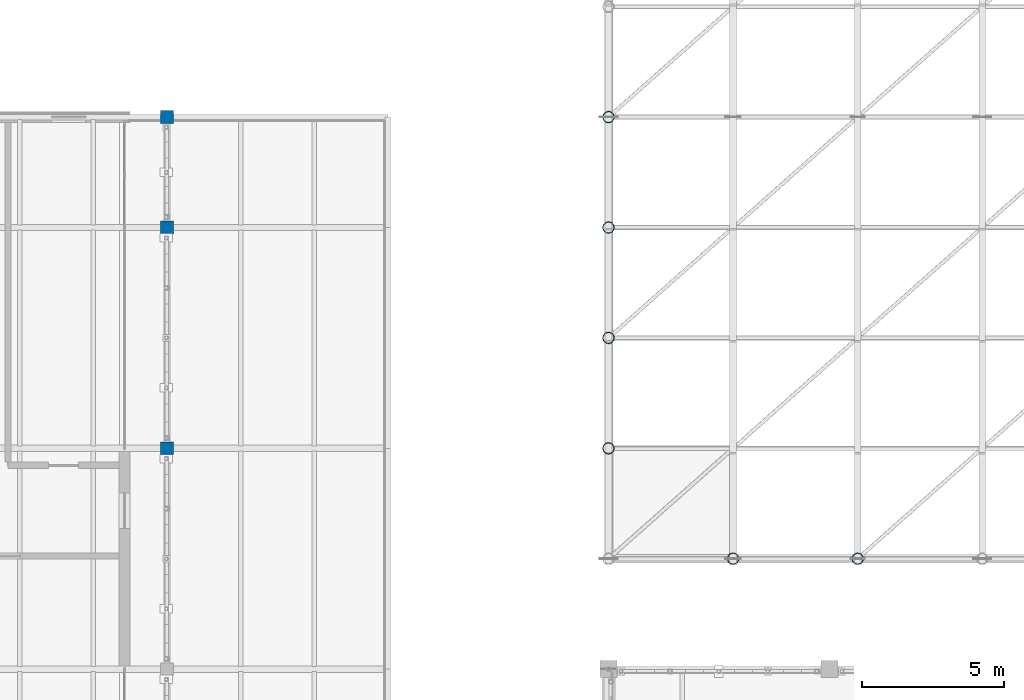
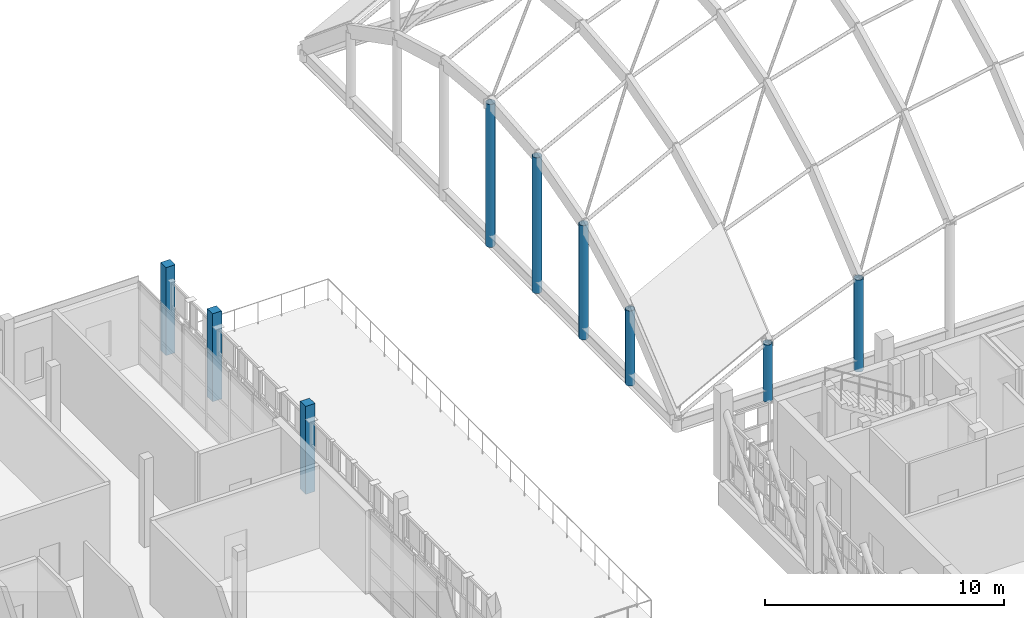
# One storey, part 4 of 119: 9 columns.
"""IFC4 building model written with IfcOpenShell, lengths in metres."""

from ifc_helpers import new_model, si_unit, direction, frame, origin, origin_2d, place, context, subcontext, project, spatial, rectangle, hollow_circle, extrude, material, material_profile, profile_set, type_object, element, save


model = new_model("IFC4")

# Units and contexts
model_context = context("Model", 3, precision=1e-05, world=origin(), true_north=direction((0.0, 1.0)))
body_context = subcontext(model_context, "Body", "Model", "MODEL_VIEW")
ifc_project = project(units=[si_unit("LENGTHUNIT", "METRE"), si_unit("AREAUNIT", "SQUARE_METRE"), si_unit("VOLUMEUNIT", "CUBIC_METRE"), si_unit("PLANEANGLEUNIT", "RADIAN"), si_unit("MASSUNIT", "GRAM", prefix="KILO")], contexts=[model_context])

# Site, building, storey
site_placement = place(None, origin())
site = spatial("IfcSite", under=ifc_project, at=site_placement, CompositionType="ELEMENT")
building_placement = place(site_placement, origin())
building = spatial("IfcBuilding", under=site, at=building_placement, Name="Celorna Specialist Clinic", CompositionType="ELEMENT")
storey_placement = place(building_placement, frame((0.0, 0.0, 9.60009765625)))
storey = spatial("IfcBuildingStorey", under=building, at=storey_placement, Name="L02", CompositionType="ELEMENT", Elevation=9.60009765625)

# Columns
ifc_material_1 = material(Name="Concrete C35/45", Category="concrete")
ifc_material_profile_1 = material_profile(ifc_material_1, rectangle(XDim=0.449951171875, YDim=0.449951171875, at=origin_2d()), Name="RC 450x450")
ifc_profile_set_1 = profile_set([ifc_material_profile_1], Name="Concrete C35/45")
column_type_1 = type_object("IfcColumnType", Name="CT-07", PredefinedType="COLUMN", material=ifc_profile_set_1)
for number, where, z_axis, x_axis, name in (
    (1, (39.0, 50.699951171875, 0.0), (0.0, 0.0, 1.0), (1.0, 0.0, 0.0), "Column CT-07 L02 X06/YK"),
    (2, (39.0, 58.5, 0.0), (0.0, 0.0, 1.0), (1.0, 0.0, 0.0), "Column CT-07 L02 X06/YL"),
    (3, (39.0, 62.39990234375, 0.0), (0.0, 0.0, 1.0), (1.0, 0.0, 0.0), "Column CT-07 L02 X06/YM"),
):
    element("IfcColumn", number, at=place(storey_placement, frame(where, z_axis=z_axis, x_axis=x_axis)), inside=storey, type_object=column_type_1, Name=name, PredefinedType="COLUMN", context=body_context, shape_type="SweptSolid", body=[
        extrude(rectangle(XDim=0.449951171875, YDim=0.449951171875, at=origin_2d()), origin(), (0.0, 0.0, 1.0), 4.5),
    ])
ifc_material_2 = material(Name="Steel S355", Category="steel")
ifc_material_profile_2 = material_profile(ifc_material_2, hollow_circle(Radius=0.203125, WallThickness=0.01611328125, at=origin_2d()), Name="CHS 406.4x16")
ifc_profile_set_2 = profile_set([ifc_material_profile_2], Name="Steel S355")
column_type_2 = type_object("IfcColumnType", Name="CT-12", PredefinedType="COLUMN", material=ifc_profile_set_2)
column_1_placement = place(storey_placement, frame((59.0, 46.800048828125, 0.0), z_axis=(0.0, 0.0, 1.0), x_axis=(1.0, 0.0, 0.0)))
element("IfcColumn", 4, at=column_1_placement, inside=storey, type_object=column_type_2, Name="Column CT-12 L02 X09/YJ", PredefinedType="COLUMN", context=body_context, shape_type="SweptSolid", body=[
    extrude(hollow_circle(Radius=0.203125, WallThickness=0.01611328125, at=origin_2d()), origin(), (0.0, 0.0, 1.0), 2.929443359375),
])
column_2_placement = place(storey_placement, frame((63.39990234375, 46.800048828125, 0.0), z_axis=(0.0, 0.0, 1.0), x_axis=(1.0, 0.0, 0.0)))
element("IfcColumn", 5, at=column_2_placement, inside=storey, type_object=column_type_2, Name="Column CT-12 L02 X09/YJ", PredefinedType="COLUMN", context=body_context, shape_type="SweptSolid", body=[
    extrude(hollow_circle(Radius=0.203125, WallThickness=0.01611328125, at=origin_2d()), origin(), (0.0, 0.0, 1.0), 4.705322265625),
])
column_3_placement = place(storey_placement, frame((54.60009765625, 50.699951171875, 0.0), z_axis=(0.0, 0.0, 1.0), x_axis=(1.0, 0.0, 0.0)))
element("IfcColumn", 6, at=column_3_placement, inside=storey, type_object=column_type_2, Name="Column CT-12 L02 X08/YK", PredefinedType="COLUMN", context=body_context, shape_type="SweptSolid", body=[
    extrude(hollow_circle(Radius=0.203125, WallThickness=0.01611328125, at=origin_2d()), origin(), (0.0, 0.0, 1.0), 3.8427734375),
])
column_4_placement = place(storey_placement, frame((54.60009765625, 54.60009765625, 0.0), z_axis=(0.0, 0.0, 1.0), x_axis=(1.0, 0.0, 0.0)))
element("IfcColumn", 7, at=column_4_placement, inside=storey, type_object=column_type_2, Name="Column CT-12 L02 X08/YK", PredefinedType="COLUMN", context=body_context, shape_type="SweptSolid", body=[
    extrude(hollow_circle(Radius=0.203125, WallThickness=0.01611328125, at=origin_2d()), origin(), (0.0, 0.0, 1.0), 5.840087890625),
])
column_5_placement = place(storey_placement, frame((54.60009765625, 58.5, 0.0), z_axis=(0.0, 0.0, 1.0), x_axis=(1.0, 0.0, 0.0)))
element("IfcColumn", 8, at=column_5_placement, inside=storey, type_object=column_type_2, Name="Column CT-12 L02 X08/YL", PredefinedType="COLUMN", context=body_context, shape_type="SweptSolid", body=[
    extrude(hollow_circle(Radius=0.203125, WallThickness=0.01611328125, at=origin_2d()), origin(), (0.0, 0.0, 1.0), 6.9482421875),
])
column_6_placement = place(storey_placement, frame((54.60009765625, 62.39990234375, 0.0), z_axis=(0.0, 0.0, 1.0), x_axis=(1.0, 0.0, 0.0)))
element("IfcColumn", 9, at=column_6_placement, inside=storey, type_object=column_type_2, Name="Column CT-12 L02 X08/YM", PredefinedType="COLUMN", context=body_context, shape_type="SweptSolid", body=[
    extrude(hollow_circle(Radius=0.203125, WallThickness=0.01611328125, at=origin_2d()), origin(), (0.0, 0.0, 1.0), 7.304931640625),
])

save(model, "model.ifc")
